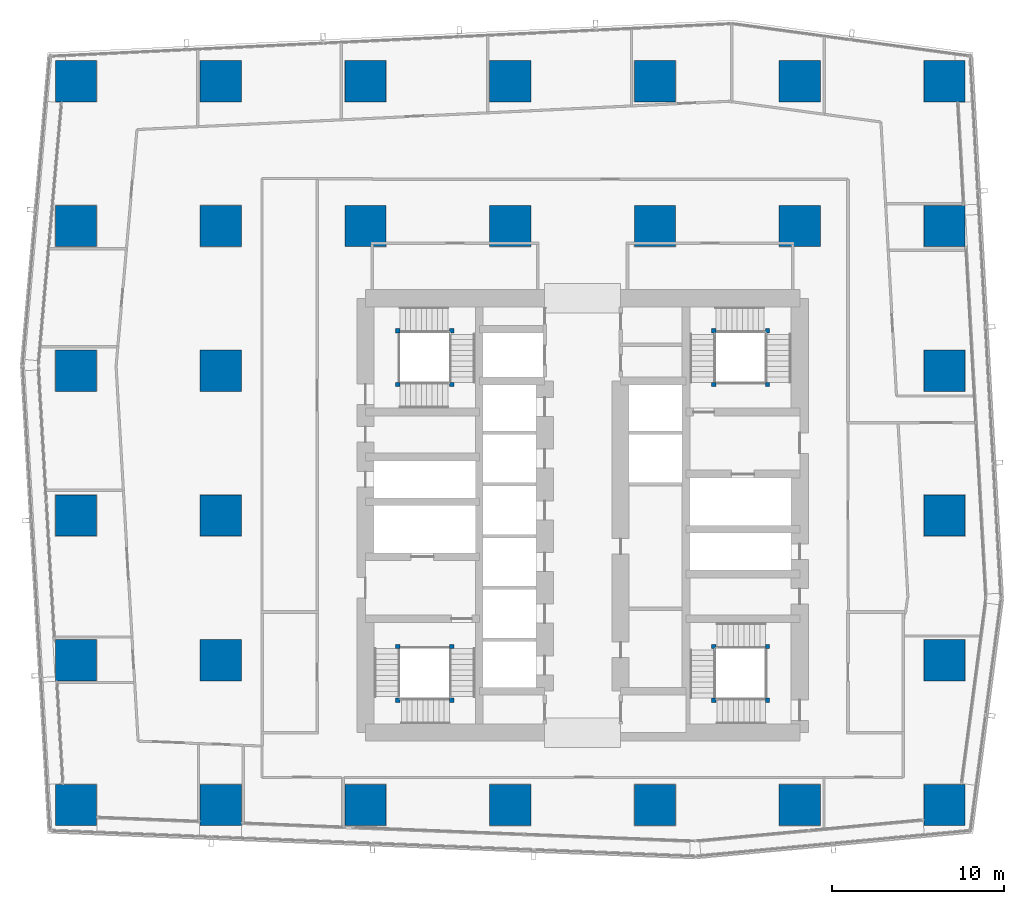
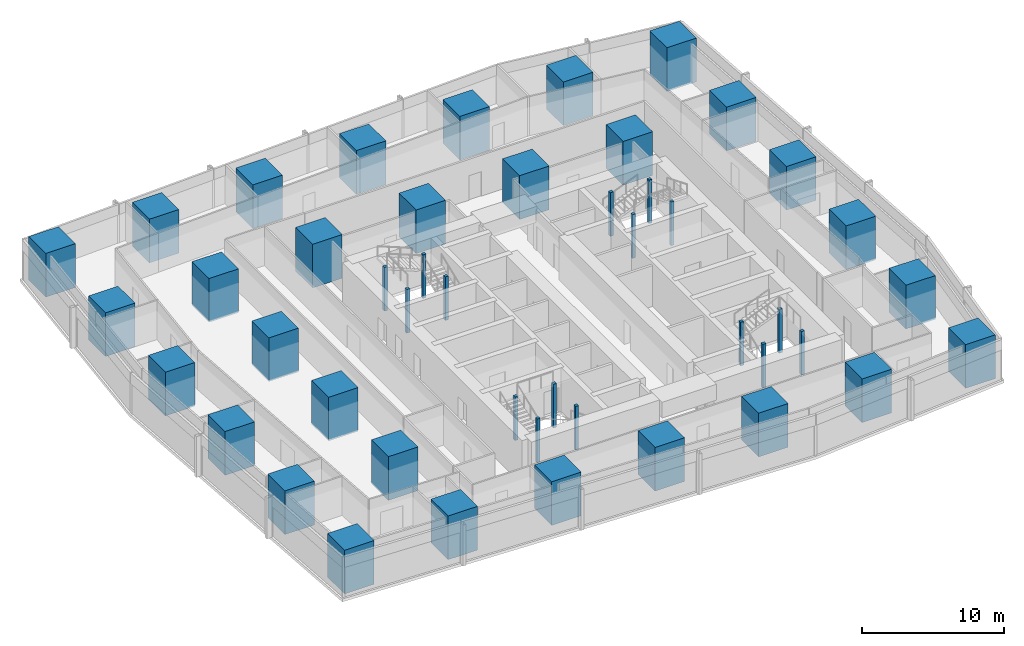
# One storey, part 1 of 37: 46 columns.
"""IFC4 building model written with IfcOpenShell, lengths in metres."""

from ifc_helpers import new_model, si_unit, direction, frame, origin, origin_2d, place, context, subcontext, project, spatial, rectangle, extrude, material, material_profile, profile_set, type_object, element, save


model = new_model("IFC4")

# Units and contexts
model_context = context("Model", 3, precision=1e-05, world=origin(), true_north=direction((0.0, 1.0)))
body_context = subcontext(model_context, "Body", "Model", "MODEL_VIEW")
ifc_project = project(units=[si_unit("LENGTHUNIT", "METRE"), si_unit("AREAUNIT", "SQUARE_METRE"), si_unit("VOLUMEUNIT", "CUBIC_METRE"), si_unit("PLANEANGLEUNIT", "RADIAN"), si_unit("MASSUNIT", "GRAM", prefix="KILO")], contexts=[model_context])

# Site, building, storey
site_placement = place(None, origin())
site = spatial("IfcSite", under=ifc_project, at=site_placement, CompositionType="ELEMENT")
building_placement = place(site_placement, origin())
building = spatial("IfcBuilding", under=site, at=building_placement, Name="Rekha Terrace Tower", CompositionType="ELEMENT")
storey_placement = place(building_placement, frame((0.0, 0.0, 232.699951171875)))
storey = spatial("IfcBuildingStorey", under=building, at=storey_placement, Name="L59", CompositionType="ELEMENT", Elevation=232.699951171875)

# Columns
ifc_material_1 = material(Name="Concrete M70", Category="concrete")
ifc_material_profile_1 = material_profile(ifc_material_1, rectangle(XDim=2.39990234375, YDim=2.39990234375, at=origin_2d()), Name="RC 2400x2400")
ifc_profile_set_1 = profile_set([ifc_material_profile_1], Name="Concrete M70")
column_type_1 = type_object("IfcColumnType", Name="C4B 2400x2400 column", PredefinedType="COLUMN", material=ifc_profile_set_1)
for number, where, z_axis, x_axis, name in (
    (1, (8.39990234375, 16.800048828125, 0.0), (0.0, 0.0, 1.0), (1.0, 0.0, 0.0), "Column C4B 2/C L59"),
    (2, (8.39990234375, 25.199951171875, 0.0), (0.0, 0.0, 1.0), (1.0, 0.0, 0.0), "Column C4B 2/D L59"),
    (3, (8.39990234375, 33.60009765625, 0.0), (0.0, 0.0, 1.0), (1.0, 0.0, 0.0), "Column C4B 2/E L59"),
    (4, (8.39990234375, 42.0, 0.0), (0.0, 0.0, 1.0), (1.0, 0.0, 0.0), "Column C4B 2/F L59"),
    (5, (8.39990234375, 50.39990234375, 0.0), (0.0, 0.0, 1.0), (1.0, 0.0, 0.0), "Column C4B 2/G L59"),
    (6, (8.39990234375, 58.800048828125, 0.0), (0.0, 0.0, 1.0), (1.0, 0.0, 0.0), "Column C4B 2/H L59"),
    (7, (16.800048828125, 16.800048828125, 0.0), (0.0, 0.0, 1.0), (1.0, 0.0, 0.0), "Column C4B 3/C L59"),
    (8, (16.800048828125, 25.199951171875, 0.0), (0.0, 0.0, 1.0), (1.0, 0.0, 0.0), "Column C4B 3/D L59"),
    (9, (16.800048828125, 33.60009765625, 0.0), (0.0, 0.0, 1.0), (1.0, 0.0, 0.0), "Column C4B 3/E L59"),
    (10, (16.800048828125, 42.0, 0.0), (0.0, 0.0, 1.0), (1.0, 0.0, 0.0), "Column C4B 3/F L59"),
    (11, (16.800048828125, 50.39990234375, 0.0), (0.0, 0.0, 1.0), (1.0, 0.0, 0.0), "Column C4B 3/G L59"),
    (12, (16.800048828125, 58.800048828125, 0.0), (0.0, 0.0, 1.0), (1.0, 0.0, 0.0), "Column C4B 3/H L59"),
    (13, (25.199951171875, 16.800048828125, 0.0), (0.0, 0.0, 1.0), (1.0, 0.0, 0.0), "Column C4B 4/C L59"),
    (14, (25.199951171875, 50.39990234375, 0.0), (0.0, 0.0, 1.0), (1.0, 0.0, 0.0), "Column C4B 4/G L59"),
    (15, (25.199951171875, 58.800048828125, 0.0), (0.0, 0.0, 1.0), (1.0, 0.0, 0.0), "Column C4B 4/H L59"),
    (16, (33.60009765625, 16.800048828125, 0.0), (0.0, 0.0, 1.0), (1.0, 0.0, 0.0), "Column C4B 5/C L59"),
    (17, (33.60009765625, 50.39990234375, 0.0), (0.0, 0.0, 1.0), (1.0, 0.0, 0.0), "Column C4B 5/G L59"),
    (18, (33.60009765625, 58.800048828125, 0.0), (0.0, 0.0, 1.0), (1.0, 0.0, 0.0), "Column C4B 5/H L59"),
    (19, (42.0, 16.800048828125, 0.0), (0.0, 0.0, 1.0), (1.0, 0.0, 0.0), "Column C4B 6/C L59"),
    (20, (42.0, 50.39990234375, 0.0), (0.0, 0.0, 1.0), (1.0, 0.0, 0.0), "Column C4B 6/G L59"),
    (21, (42.0, 58.800048828125, 0.0), (0.0, 0.0, 1.0), (1.0, 0.0, 0.0), "Column C4B 6/H L59"),
    (22, (50.39990234375, 16.800048828125, 0.0), (0.0, 0.0, 1.0), (1.0, 0.0, 0.0), "Column C4B 7/C L59"),
    (23, (50.39990234375, 50.39990234375, 0.0), (0.0, 0.0, 1.0), (1.0, 0.0, 0.0), "Column C4B 7/G L59"),
    (24, (50.39990234375, 58.800048828125, 0.0), (0.0, 0.0, 1.0), (1.0, 0.0, 0.0), "Column C4B 7/H L59"),
    (25, (58.800048828125, 16.800048828125, 0.0), (0.0, 0.0, 1.0), (1.0, 0.0, 0.0), "Column C4B 8/C L59"),
    (26, (58.800048828125, 25.199951171875, 0.0), (0.0, 0.0, 1.0), (1.0, 0.0, 0.0), "Column C4B 8/D L59"),
    (27, (58.800048828125, 33.60009765625, 0.0), (0.0, 0.0, 1.0), (1.0, 0.0, 0.0), "Column C4B 8/E L59"),
    (28, (58.800048828125, 42.0, 0.0), (0.0, 0.0, 1.0), (1.0, 0.0, 0.0), "Column C4B 8/F L59"),
    (29, (58.800048828125, 50.39990234375, 0.0), (0.0, 0.0, 1.0), (1.0, 0.0, 0.0), "Column C4B 8/G L59"),
    (30, (58.800048828125, 58.800048828125, 0.0), (0.0, 0.0, 1.0), (1.0, 0.0, 0.0), "Column C4B 8/H L59"),
):
    element("IfcColumn", number, at=place(storey_placement, frame(where, z_axis=z_axis, x_axis=x_axis)), inside=storey, type_object=column_type_1, Name=name, PredefinedType="COLUMN", context=body_context, shape_type="SweptSolid", body=[
        extrude(rectangle(XDim=2.39990234375, YDim=2.39990234375, at=origin_2d()), origin(), (0.0, 0.0, 1.0), 3.75),
    ])
ifc_material_2 = material(Name="Concrete M60", Category="concrete")
ifc_material_profile_2 = material_profile(ifc_material_2, rectangle(XDim=0.25, YDim=0.25, at=origin_2d()), Name="RC 250x250")
ifc_profile_set_2 = profile_set([ifc_material_profile_2], Name="Concrete M60")
column_type_2 = type_object("IfcColumnType", Name="NP1 250x250 stair newel post", PredefinedType="COLUMN", material=ifc_profile_set_2)
for number, where, z_axis, x_axis, name in (
    (31, (30.199951171875, 26.0, 0.0), (0.0, 0.0, 1.0), (1.0, 0.0, 0.0), "Stair newel post NP1"),
    (32, (30.199951171875, 22.875, 0.0), (0.0, 0.0, 1.0), (1.0, 0.0, 0.0), "Stair newel post NP1"),
    (33, (27.074951171875, 22.875, 0.0), (0.0, 0.0, 1.0), (1.0, 0.0, 0.0), "Stair newel post NP1"),
    (34, (27.074951171875, 26.0, 0.0), (0.0, 0.0, 1.0), (1.0, 0.0, 0.0), "Stair newel post NP1"),
    (35, (45.39990234375, 41.199951171875, 0.0), (0.0, 0.0, 1.0), (1.0, 0.0, 0.0), "Stair newel post NP1"),
    (36, (45.39990234375, 44.324951171875, 0.0), (0.0, 0.0, 1.0), (1.0, 0.0, 0.0), "Stair newel post NP1"),
    (37, (48.52490234375, 44.324951171875, 0.0), (0.0, 0.0, 1.0), (1.0, 0.0, 0.0), "Stair newel post NP1"),
    (38, (48.52490234375, 41.199951171875, 0.0), (0.0, 0.0, 1.0), (1.0, 0.0, 0.0), "Stair newel post NP1"),
    (39, (48.52490234375, 22.875, 0.0), (0.0, 0.0, 1.0), (1.0, 0.0, 0.0), "Stair newel post NP1"),
    (40, (45.39990234375, 22.875, 0.0), (0.0, 0.0, 1.0), (1.0, 0.0, 0.0), "Stair newel post NP1"),
    (41, (45.39990234375, 26.0, 0.0), (0.0, 0.0, 1.0), (1.0, 0.0, 0.0), "Stair newel post NP1"),
    (42, (48.52490234375, 26.0, 0.0), (0.0, 0.0, 1.0), (1.0, 0.0, 0.0), "Stair newel post NP1"),
    (43, (27.074951171875, 41.199951171875, 0.0), (0.0, 0.0, 1.0), (1.0, 0.0, 0.0), "Stair newel post NP1"),
    (44, (30.199951171875, 41.199951171875, 0.0), (0.0, 0.0, 1.0), (1.0, 0.0, 0.0), "Stair newel post NP1"),
    (45, (30.199951171875, 44.324951171875, 0.0), (0.0, 0.0, 1.0), (1.0, 0.0, 0.0), "Stair newel post NP1"),
    (46, (27.074951171875, 44.324951171875, 0.0), (0.0, 0.0, 1.0), (1.0, 0.0, 0.0), "Stair newel post NP1"),
):
    element("IfcColumn", number, at=place(storey_placement, frame(where, z_axis=z_axis, x_axis=x_axis)), inside=storey, type_object=column_type_2, Name=name, PredefinedType="COLUMN", context=body_context, shape_type="SweptSolid", body=[
        extrude(rectangle(XDim=0.25, YDim=0.25, at=origin_2d()), origin(), (0.0, 0.0, 1.0), 3.75),
    ])

save(model, "model.ifc")
